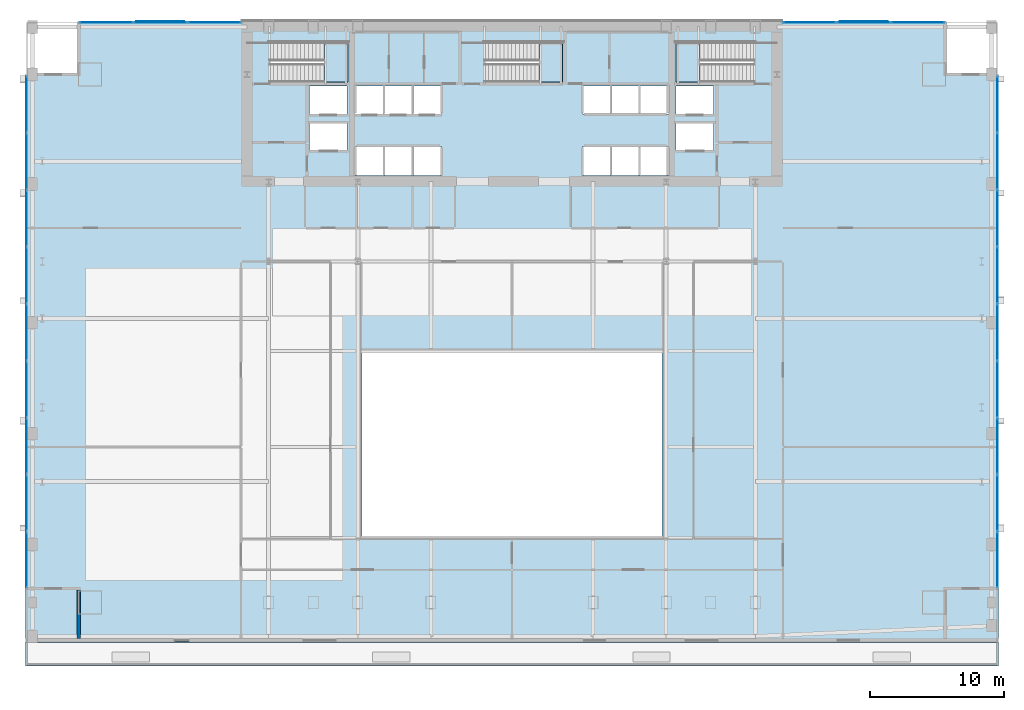
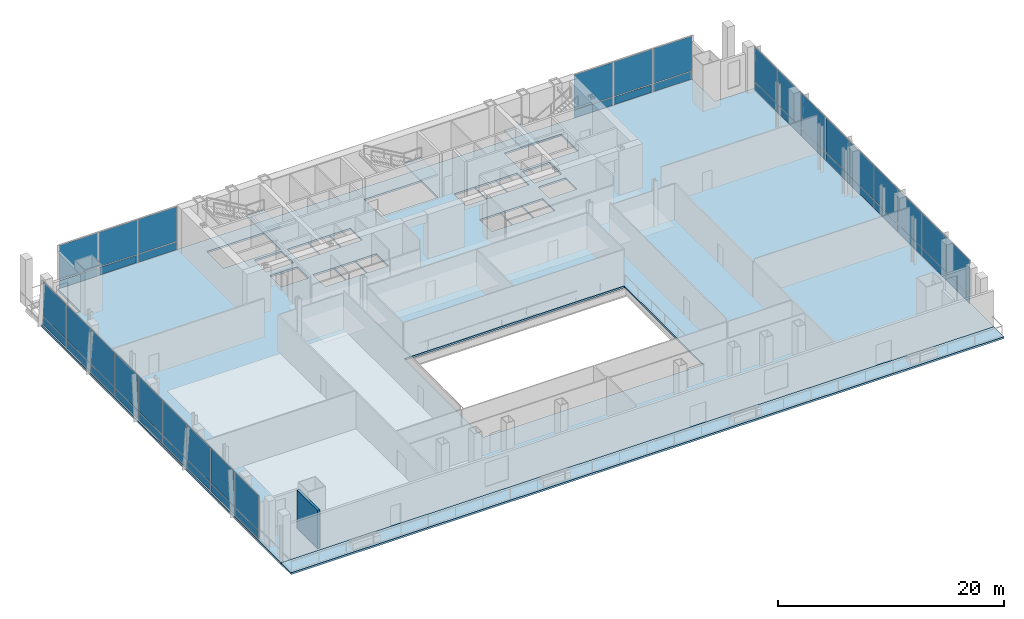
# One storey, part 18 of 25: 50 plates, 5 slabs, 1 wall, 7 elements without a shape of their own.
"""IFC4 building model written with IfcOpenShell, lengths in metres."""

from ifc_helpers import new_model, si_unit, direction, frame, frame_2d, origin, origin_2d, place, context, subcontext, project, spatial, polyline, rectangle, outline, extrude, material, layer, layer_set, type_object, element, aggregate, save


model = new_model("IFC4")

# Units and contexts
model_context = context("Model", 3, precision=1e-05, world=origin(), true_north=direction((0.0, 1.0)))
body_context = subcontext(model_context, "Body", "Model", "MODEL_VIEW")
ifc_project = project(units=[si_unit("LENGTHUNIT", "METRE"), si_unit("AREAUNIT", "SQUARE_METRE"), si_unit("VOLUMEUNIT", "CUBIC_METRE"), si_unit("PLANEANGLEUNIT", "RADIAN"), si_unit("MASSUNIT", "GRAM", prefix="KILO")], contexts=[model_context])

# Site, building, storey
site_placement = place(None, origin())
site = spatial("IfcSite", under=ifc_project, at=site_placement, CompositionType="ELEMENT")
building_placement = place(site_placement, origin())
building = spatial("IfcBuilding", under=site, at=building_placement, Name="Khoronbel Lancet Exchange", CompositionType="ELEMENT")
storey_placement = place(building_placement, frame((0.0, 0.0, 10.39990234375)))
storey = spatial("IfcBuildingStorey", under=building, at=storey_placement, Name="L02", CompositionType="ELEMENT", Elevation=10.39990234375)

# Curtain wall, plate
ifc_material_1 = material(Name="Low-E Solar Control Insulating Glass", Category="glass")
curtain_wall_type = type_object("IfcCurtainWallType", Name="CW-5", PredefinedType="NOTDEFINED", material=ifc_material_1)
curtain_wall_1_placement = place(storey_placement, origin())
curtain_wall_1 = element("IfcCurtainWall", 1, at=curtain_wall_1_placement, inside=storey, type_object=curtain_wall_type, Name="Unitised curtain wall CW-L02-NW", PredefinedType="NOTDEFINED")
ifc_material_2 = material(Name="Bronze-Anodised Aluminium 6063-T6", Category="aluminium")
ifc_layer_1 = layer(ifc_material_2, 0.050048828125, Name="Bronze-Anodised Aluminium 6063-T6")
ifc_layer_set_1 = layer_set([ifc_layer_1], Name="Bronze-Anodised Aluminium 6063-T6")
plate_type_1 = type_object("IfcPlateType", Name="PLT-CSP1", PredefinedType="SHEET", material=ifc_layer_set_1)
plate_1_placement = place(storey_placement, frame((10.110107421875, 53.659912109375, 0.05029296875), z_axis=(0.0, 0.0, 1.0), x_axis=(1.0, 0.0, 0.0)))
plate_1 = element("IfcPlate", 2, at=plate_1_placement, type_object=plate_type_1, Name="Insulated bronze spandrel cassette CW-L02-NW", PredefinedType="SHEET", context=body_context, shape_type="SweptSolid", body=[
    extrude(rectangle(XDim=3.60009765625, YDim=0.050048828125, at=origin_2d()), origin(), (0.0, 0.0, 1.0), 0.800048828125),
])

curtain_wall_2_placement = place(storey_placement, origin())
curtain_wall_2 = element("IfcCurtainWall", 3, at=curtain_wall_2_placement, inside=storey, type_object=curtain_wall_type, Name="Unitised curtain wall CW-L02-NE", PredefinedType="NOTDEFINED")
plate_2_placement = place(storey_placement, frame((62.7900390625, 53.659912109375, 0.05029296875), z_axis=(0.0, 0.0, 1.0), x_axis=(1.0, 0.0, 0.0)))
plate_2 = element("IfcPlate", 4, at=plate_2_placement, type_object=plate_type_1, Name="Insulated bronze spandrel cassette CW-L02-NE", PredefinedType="SHEET", context=body_context, shape_type="SweptSolid", body=[
    extrude(rectangle(XDim=3.60009765625, YDim=0.050048828125, at=origin_2d()), origin(), (0.0, 0.0, 1.0), 0.800048828125),
])

# Curtain wall, plates
curtain_wall_3_placement = place(storey_placement, origin())
curtain_wall_3 = element("IfcCurtainWall", 5, at=curtain_wall_3_placement, inside=storey, type_object=curtain_wall_type, Name="Unitised curtain wall CW-L02-WEST", PredefinedType="NOTDEFINED")
ifc_layer_2 = layer(ifc_material_1, 0.035888671875, Name="Low-E Solar Control Insulating Glass")
ifc_layer_set_2 = layer_set([ifc_layer_2], Name="Low-E Solar Control Insulating Glass")
plate_type_2 = type_object("IfcPlateType", Name="PLT-CWP1", PredefinedType="CURTAIN_PANEL", material=ifc_layer_set_2)
plate_3_placement = place(storey_placement, frame((0.10009765625, 47.4453125, 0.0751953125), z_axis=(0.0, 0.0, 1.0), x_axis=(0.0, -1.0, 0.0)))
plate_3 = element("IfcPlate", 6, at=plate_3_placement, type_object=plate_type_2, Name="CW5 panel 1.1", PredefinedType="CURTAIN_PANEL", context=body_context, shape_type="SweptSolid", body=[
    extrude(rectangle(XDim=4.13916015625, YDim=0.0380859375, at=origin_2d()), origin(), (0.0, 0.0, 1.0), 0.83740234375),
])
plate_4_placement = place(storey_placement, frame((0.10009765625, 47.4453125, 0.98779296875), z_axis=(0.0, 0.0, 1.0), x_axis=(0.0, -1.0, 0.0)))
plate_4 = element("IfcPlate", 7, at=plate_4_placement, type_object=plate_type_2, Name="CW5 panel 1.2", PredefinedType="CURTAIN_PANEL", context=body_context, shape_type="SweptSolid", body=[
    extrude(rectangle(XDim=4.13916015625, YDim=0.0380859375, at=origin_2d()), origin(), (0.0, 0.0, 1.0), 3.737548828125),
])
plate_5_placement = place(storey_placement, frame((0.10009765625, 43.199951171875, 0.0751953125), z_axis=(0.0, 0.0, 1.0), x_axis=(0.0, -1.0, 0.0)))
plate_5 = element("IfcPlate", 8, at=plate_5_placement, type_object=plate_type_2, Name="CW5 panel 2.1", PredefinedType="CURTAIN_PANEL", context=body_context, shape_type="SweptSolid", body=[
    extrude(rectangle(XDim=4.181640625, YDim=0.0380859375, at=origin_2d()), origin(), (0.0, 0.0, 1.0), 0.83740234375),
])
plate_6_placement = place(storey_placement, frame((0.10009765625, 43.199951171875, 0.98779296875), z_axis=(0.0, 0.0, 1.0), x_axis=(0.0, -1.0, 0.0)))
plate_6 = element("IfcPlate", 9, at=plate_6_placement, type_object=plate_type_2, Name="CW5 panel 2.2", PredefinedType="CURTAIN_PANEL", context=body_context, shape_type="SweptSolid", body=[
    extrude(rectangle(XDim=4.181640625, YDim=0.0380859375, at=origin_2d()), origin(), (0.0, 0.0, 1.0), 3.737548828125),
])
plate_7_placement = place(storey_placement, frame((0.10009765625, 38.933349609375, 0.0751953125), z_axis=(0.0, 0.0, 1.0), x_axis=(0.0, -1.0, 0.0)))
plate_7 = element("IfcPlate", 10, at=plate_7_placement, type_object=plate_type_2, Name="CW5 panel 3.1", PredefinedType="CURTAIN_PANEL", context=body_context, shape_type="SweptSolid", body=[
    extrude(rectangle(XDim=4.181640625, YDim=0.0380859375, at=origin_2d()), origin(), (0.0, 0.0, 1.0), 0.83740234375),
])
plate_8_placement = place(storey_placement, frame((0.10009765625, 38.933349609375, 0.98779296875), z_axis=(0.0, 0.0, 1.0), x_axis=(0.0, -1.0, 0.0)))
plate_8 = element("IfcPlate", 11, at=plate_8_placement, type_object=plate_type_2, Name="CW5 panel 3.2", PredefinedType="CURTAIN_PANEL", context=body_context, shape_type="SweptSolid", body=[
    extrude(rectangle(XDim=4.181640625, YDim=0.0380859375, at=origin_2d()), origin(), (0.0, 0.0, 1.0), 3.737548828125),
])
plate_9_placement = place(storey_placement, frame((0.10009765625, 34.666748046875, 0.0751953125), z_axis=(0.0, 0.0, 1.0), x_axis=(0.0, -1.0, 0.0)))
plate_9 = element("IfcPlate", 12, at=plate_9_placement, type_object=plate_type_2, Name="CW5 panel 4.1", PredefinedType="CURTAIN_PANEL", context=body_context, shape_type="SweptSolid", body=[
    extrude(rectangle(XDim=4.181640625, YDim=0.0380859375, at=origin_2d()), origin(), (0.0, 0.0, 1.0), 0.83740234375),
])
plate_10_placement = place(storey_placement, frame((0.10009765625, 34.666748046875, 0.98779296875), z_axis=(0.0, 0.0, 1.0), x_axis=(0.0, -1.0, 0.0)))
plate_10 = element("IfcPlate", 13, at=plate_10_placement, type_object=plate_type_2, Name="CW5 panel 4.2", PredefinedType="CURTAIN_PANEL", context=body_context, shape_type="SweptSolid", body=[
    extrude(rectangle(XDim=4.181640625, YDim=0.0380859375, at=origin_2d()), origin(), (0.0, 0.0, 1.0), 3.737548828125),
])
plate_11_placement = place(storey_placement, frame((0.10009765625, 30.39990234375, 0.0751953125), z_axis=(0.0, 0.0, 1.0), x_axis=(0.0, -1.0, 0.0)))
plate_11 = element("IfcPlate", 14, at=plate_11_placement, type_object=plate_type_2, Name="CW5 panel 5.1", PredefinedType="CURTAIN_PANEL", context=body_context, shape_type="SweptSolid", body=[
    extrude(rectangle(XDim=4.181640625, YDim=0.0380859375, at=origin_2d()), origin(), (0.0, 0.0, 1.0), 0.83740234375),
])
plate_12_placement = place(storey_placement, frame((0.10009765625, 30.39990234375, 0.98779296875), z_axis=(0.0, 0.0, 1.0), x_axis=(0.0, -1.0, 0.0)))
plate_12 = element("IfcPlate", 15, at=plate_12_placement, type_object=plate_type_2, Name="CW5 panel 5.2", PredefinedType="CURTAIN_PANEL", context=body_context, shape_type="SweptSolid", body=[
    extrude(rectangle(XDim=4.181640625, YDim=0.0380859375, at=origin_2d()), origin(), (0.0, 0.0, 1.0), 3.737548828125),
])
plate_13_placement = place(storey_placement, frame((0.10009765625, 26.13330078125, 0.0751953125), z_axis=(0.0, 0.0, 1.0), x_axis=(0.0, -1.0, 0.0)))
plate_13 = element("IfcPlate", 16, at=plate_13_placement, type_object=plate_type_2, Name="CW5 panel 6.1", PredefinedType="CURTAIN_PANEL", context=body_context, shape_type="SweptSolid", body=[
    extrude(rectangle(XDim=4.181640625, YDim=0.0380859375, at=origin_2d()), origin(), (0.0, 0.0, 1.0), 0.83740234375),
])
plate_14_placement = place(storey_placement, frame((0.10009765625, 26.13330078125, 0.98779296875), z_axis=(0.0, 0.0, 1.0), x_axis=(0.0, -1.0, 0.0)))
plate_14 = element("IfcPlate", 17, at=plate_14_placement, type_object=plate_type_2, Name="CW5 panel 6.2", PredefinedType="CURTAIN_PANEL", context=body_context, shape_type="SweptSolid", body=[
    extrude(rectangle(XDim=4.181640625, YDim=0.0380859375, at=origin_2d()), origin(), (0.0, 0.0, 1.0), 3.737548828125),
])
plate_15_placement = place(storey_placement, frame((0.10009765625, 21.86669921875, 0.0751953125), z_axis=(0.0, 0.0, 1.0), x_axis=(0.0, -1.0, 0.0)))
plate_15 = element("IfcPlate", 18, at=plate_15_placement, type_object=plate_type_2, Name="CW5 panel 7.1", PredefinedType="CURTAIN_PANEL", context=body_context, shape_type="SweptSolid", body=[
    extrude(rectangle(XDim=4.181640625, YDim=0.0380859375, at=origin_2d()), origin(), (0.0, 0.0, 1.0), 0.83740234375),
])
plate_16_placement = place(storey_placement, frame((0.10009765625, 21.86669921875, 0.98779296875), z_axis=(0.0, 0.0, 1.0), x_axis=(0.0, -1.0, 0.0)))
plate_16 = element("IfcPlate", 19, at=plate_16_placement, type_object=plate_type_2, Name="CW5 panel 7.2", PredefinedType="CURTAIN_PANEL", context=body_context, shape_type="SweptSolid", body=[
    extrude(rectangle(XDim=4.181640625, YDim=0.0380859375, at=origin_2d()), origin(), (0.0, 0.0, 1.0), 3.737548828125),
])
plate_17_placement = place(storey_placement, frame((0.10009765625, 17.60009765625, 0.0751953125), z_axis=(0.0, 0.0, 1.0), x_axis=(0.0, -1.0, 0.0)))
plate_17 = element("IfcPlate", 20, at=plate_17_placement, type_object=plate_type_2, Name="CW5 panel 8.1", PredefinedType="CURTAIN_PANEL", context=body_context, shape_type="SweptSolid", body=[
    extrude(rectangle(XDim=4.181640625, YDim=0.0380859375, at=origin_2d()), origin(), (0.0, 0.0, 1.0), 0.83740234375),
])
plate_18_placement = place(storey_placement, frame((0.10009765625, 17.60009765625, 0.98779296875), z_axis=(0.0, 0.0, 1.0), x_axis=(0.0, -1.0, 0.0)))
plate_18 = element("IfcPlate", 21, at=plate_18_placement, type_object=plate_type_2, Name="CW5 panel 8.2", PredefinedType="CURTAIN_PANEL", context=body_context, shape_type="SweptSolid", body=[
    extrude(rectangle(XDim=4.181640625, YDim=0.0380859375, at=origin_2d()), origin(), (0.0, 0.0, 1.0), 3.737548828125),
])
plate_19_placement = place(storey_placement, frame((0.10009765625, 13.3544921875, 0.0751953125), z_axis=(0.0, 0.0, 1.0), x_axis=(0.0, -1.0, 0.0)))
plate_19 = element("IfcPlate", 22, at=plate_19_placement, type_object=plate_type_2, Name="CW5 panel 9.1", PredefinedType="CURTAIN_PANEL", context=body_context, shape_type="SweptSolid", body=[
    extrude(rectangle(XDim=4.13916015625, YDim=0.0380859375, at=origin_2d()), origin(), (0.0, 0.0, 1.0), 0.83740234375),
])
plate_20_placement = place(storey_placement, frame((0.10009765625, 13.3544921875, 0.98779296875), z_axis=(0.0, 0.0, 1.0), x_axis=(0.0, -1.0, 0.0)))
plate_20 = element("IfcPlate", 23, at=plate_20_placement, type_object=plate_type_2, Name="CW5 panel 9.2", PredefinedType="CURTAIN_PANEL", context=body_context, shape_type="SweptSolid", body=[
    extrude(rectangle(XDim=4.13916015625, YDim=0.0380859375, at=origin_2d()), origin(), (0.0, 0.0, 1.0), 3.737548828125),
])
aggregate(curtain_wall_3, [plate_3, plate_4, plate_5, plate_6, plate_7, plate_8, plate_9, plate_10, plate_11, plate_12, plate_13, plate_14, plate_15, plate_16, plate_17, plate_18, plate_19, plate_20])

curtain_wall_4_placement = place(storey_placement, origin())
curtain_wall_4 = element("IfcCurtainWall", 24, at=curtain_wall_4_placement, inside=storey, type_object=curtain_wall_type, Name="Unitised curtain wall CW-L02-EAST", PredefinedType="NOTDEFINED")
plate_21_placement = place(storey_placement, frame((72.800048828125, 13.3544921875, 0.0751953125), z_axis=(0.0, 0.0, 1.0), x_axis=(0.0, 1.0, 0.0)))
plate_21 = element("IfcPlate", 25, at=plate_21_placement, type_object=plate_type_2, Name="CW5 panel 1.1", PredefinedType="CURTAIN_PANEL", context=body_context, shape_type="SweptSolid", body=[
    extrude(rectangle(XDim=4.13916015625, YDim=0.0380859375, at=origin_2d()), origin(), (0.0, 0.0, 1.0), 0.83740234375),
])
plate_22_placement = place(storey_placement, frame((72.800048828125, 13.3544921875, 0.98779296875), z_axis=(0.0, 0.0, 1.0), x_axis=(0.0, 1.0, 0.0)))
plate_22 = element("IfcPlate", 26, at=plate_22_placement, type_object=plate_type_2, Name="CW5 panel 1.2", PredefinedType="CURTAIN_PANEL", context=body_context, shape_type="SweptSolid", body=[
    extrude(rectangle(XDim=4.13916015625, YDim=0.0380859375, at=origin_2d()), origin(), (0.0, 0.0, 1.0), 3.737548828125),
])
plate_23_placement = place(storey_placement, frame((72.800048828125, 17.60009765625, 0.0751953125), z_axis=(0.0, 0.0, 1.0), x_axis=(0.0, 1.0, 0.0)))
plate_23 = element("IfcPlate", 27, at=plate_23_placement, type_object=plate_type_2, Name="CW5 panel 2.1", PredefinedType="CURTAIN_PANEL", context=body_context, shape_type="SweptSolid", body=[
    extrude(rectangle(XDim=4.181640625, YDim=0.0380859375, at=origin_2d()), origin(), (0.0, 0.0, 1.0), 0.83740234375),
])
plate_24_placement = place(storey_placement, frame((72.800048828125, 17.60009765625, 0.98779296875), z_axis=(0.0, 0.0, 1.0), x_axis=(0.0, 1.0, 0.0)))
plate_24 = element("IfcPlate", 28, at=plate_24_placement, type_object=plate_type_2, Name="CW5 panel 2.2", PredefinedType="CURTAIN_PANEL", context=body_context, shape_type="SweptSolid", body=[
    extrude(rectangle(XDim=4.181640625, YDim=0.0380859375, at=origin_2d()), origin(), (0.0, 0.0, 1.0), 3.737548828125),
])
plate_25_placement = place(storey_placement, frame((72.800048828125, 21.86669921875, 0.0751953125), z_axis=(0.0, 0.0, 1.0), x_axis=(0.0, 1.0, 0.0)))
plate_25 = element("IfcPlate", 29, at=plate_25_placement, type_object=plate_type_2, Name="CW5 panel 3.1", PredefinedType="CURTAIN_PANEL", context=body_context, shape_type="SweptSolid", body=[
    extrude(rectangle(XDim=4.181640625, YDim=0.0380859375, at=origin_2d()), origin(), (0.0, 0.0, 1.0), 0.83740234375),
])
plate_26_placement = place(storey_placement, frame((72.800048828125, 21.86669921875, 0.98779296875), z_axis=(0.0, 0.0, 1.0), x_axis=(0.0, 1.0, 0.0)))
plate_26 = element("IfcPlate", 30, at=plate_26_placement, type_object=plate_type_2, Name="CW5 panel 3.2", PredefinedType="CURTAIN_PANEL", context=body_context, shape_type="SweptSolid", body=[
    extrude(rectangle(XDim=4.181640625, YDim=0.0380859375, at=origin_2d()), origin(), (0.0, 0.0, 1.0), 3.737548828125),
])
plate_27_placement = place(storey_placement, frame((72.800048828125, 26.13330078125, 0.0751953125), z_axis=(0.0, 0.0, 1.0), x_axis=(0.0, 1.0, 0.0)))
plate_27 = element("IfcPlate", 31, at=plate_27_placement, type_object=plate_type_2, Name="CW5 panel 4.1", PredefinedType="CURTAIN_PANEL", context=body_context, shape_type="SweptSolid", body=[
    extrude(rectangle(XDim=4.181640625, YDim=0.0380859375, at=origin_2d()), origin(), (0.0, 0.0, 1.0), 0.83740234375),
])
plate_28_placement = place(storey_placement, frame((72.800048828125, 26.13330078125, 0.98779296875), z_axis=(0.0, 0.0, 1.0), x_axis=(0.0, 1.0, 0.0)))
plate_28 = element("IfcPlate", 32, at=plate_28_placement, type_object=plate_type_2, Name="CW5 panel 4.2", PredefinedType="CURTAIN_PANEL", context=body_context, shape_type="SweptSolid", body=[
    extrude(rectangle(XDim=4.181640625, YDim=0.0380859375, at=origin_2d()), origin(), (0.0, 0.0, 1.0), 3.737548828125),
])
plate_29_placement = place(storey_placement, frame((72.800048828125, 30.39990234375, 0.0751953125), z_axis=(0.0, 0.0, 1.0), x_axis=(0.0, 1.0, 0.0)))
plate_29 = element("IfcPlate", 33, at=plate_29_placement, type_object=plate_type_2, Name="CW5 panel 5.1", PredefinedType="CURTAIN_PANEL", context=body_context, shape_type="SweptSolid", body=[
    extrude(rectangle(XDim=4.181640625, YDim=0.0380859375, at=origin_2d()), origin(), (0.0, 0.0, 1.0), 0.83740234375),
])
plate_30_placement = place(storey_placement, frame((72.800048828125, 30.39990234375, 0.98779296875), z_axis=(0.0, 0.0, 1.0), x_axis=(0.0, 1.0, 0.0)))
plate_30 = element("IfcPlate", 34, at=plate_30_placement, type_object=plate_type_2, Name="CW5 panel 5.2", PredefinedType="CURTAIN_PANEL", context=body_context, shape_type="SweptSolid", body=[
    extrude(rectangle(XDim=4.181640625, YDim=0.0380859375, at=origin_2d()), origin(), (0.0, 0.0, 1.0), 3.737548828125),
])
plate_31_placement = place(storey_placement, frame((72.800048828125, 34.666748046875, 0.0751953125), z_axis=(0.0, 0.0, 1.0), x_axis=(0.0, 1.0, 0.0)))
plate_31 = element("IfcPlate", 35, at=plate_31_placement, type_object=plate_type_2, Name="CW5 panel 6.1", PredefinedType="CURTAIN_PANEL", context=body_context, shape_type="SweptSolid", body=[
    extrude(rectangle(XDim=4.181640625, YDim=0.0380859375, at=origin_2d()), origin(), (0.0, 0.0, 1.0), 0.83740234375),
])
plate_32_placement = place(storey_placement, frame((72.800048828125, 34.666748046875, 0.98779296875), z_axis=(0.0, 0.0, 1.0), x_axis=(0.0, 1.0, 0.0)))
plate_32 = element("IfcPlate", 36, at=plate_32_placement, type_object=plate_type_2, Name="CW5 panel 6.2", PredefinedType="CURTAIN_PANEL", context=body_context, shape_type="SweptSolid", body=[
    extrude(rectangle(XDim=4.181640625, YDim=0.0380859375, at=origin_2d()), origin(), (0.0, 0.0, 1.0), 3.737548828125),
])
plate_33_placement = place(storey_placement, frame((72.800048828125, 38.933349609375, 0.0751953125), z_axis=(0.0, 0.0, 1.0), x_axis=(0.0, 1.0, 0.0)))
plate_33 = element("IfcPlate", 37, at=plate_33_placement, type_object=plate_type_2, Name="CW5 panel 7.1", PredefinedType="CURTAIN_PANEL", context=body_context, shape_type="SweptSolid", body=[
    extrude(rectangle(XDim=4.181640625, YDim=0.0380859375, at=origin_2d()), origin(), (0.0, 0.0, 1.0), 0.83740234375),
])
plate_34_placement = place(storey_placement, frame((72.800048828125, 38.933349609375, 0.98779296875), z_axis=(0.0, 0.0, 1.0), x_axis=(0.0, 1.0, 0.0)))
plate_34 = element("IfcPlate", 38, at=plate_34_placement, type_object=plate_type_2, Name="CW5 panel 7.2", PredefinedType="CURTAIN_PANEL", context=body_context, shape_type="SweptSolid", body=[
    extrude(rectangle(XDim=4.181640625, YDim=0.0380859375, at=origin_2d()), origin(), (0.0, 0.0, 1.0), 3.737548828125),
])
plate_35_placement = place(storey_placement, frame((72.800048828125, 43.199951171875, 0.0751953125), z_axis=(0.0, 0.0, 1.0), x_axis=(0.0, 1.0, 0.0)))
plate_35 = element("IfcPlate", 39, at=plate_35_placement, type_object=plate_type_2, Name="CW5 panel 8.1", PredefinedType="CURTAIN_PANEL", context=body_context, shape_type="SweptSolid", body=[
    extrude(rectangle(XDim=4.181640625, YDim=0.0380859375, at=origin_2d()), origin(), (0.0, 0.0, 1.0), 0.83740234375),
])
plate_36_placement = place(storey_placement, frame((72.800048828125, 43.199951171875, 0.98779296875), z_axis=(0.0, 0.0, 1.0), x_axis=(0.0, 1.0, 0.0)))
plate_36 = element("IfcPlate", 40, at=plate_36_placement, type_object=plate_type_2, Name="CW5 panel 8.2", PredefinedType="CURTAIN_PANEL", context=body_context, shape_type="SweptSolid", body=[
    extrude(rectangle(XDim=4.181640625, YDim=0.0380859375, at=origin_2d()), origin(), (0.0, 0.0, 1.0), 3.737548828125),
])
plate_37_placement = place(storey_placement, frame((72.800048828125, 47.4453125, 0.0751953125), z_axis=(0.0, 0.0, 1.0), x_axis=(0.0, 1.0, 0.0)))
plate_37 = element("IfcPlate", 41, at=plate_37_placement, type_object=plate_type_2, Name="CW5 panel 9.1", PredefinedType="CURTAIN_PANEL", context=body_context, shape_type="SweptSolid", body=[
    extrude(rectangle(XDim=4.13916015625, YDim=0.0380859375, at=origin_2d()), origin(), (0.0, 0.0, 1.0), 0.83740234375),
])
plate_38_placement = place(storey_placement, frame((72.800048828125, 47.4453125, 0.98779296875), z_axis=(0.0, 0.0, 1.0), x_axis=(0.0, 1.0, 0.0)))
plate_38 = element("IfcPlate", 42, at=plate_38_placement, type_object=plate_type_2, Name="CW5 panel 9.2", PredefinedType="CURTAIN_PANEL", context=body_context, shape_type="SweptSolid", body=[
    extrude(rectangle(XDim=4.13916015625, YDim=0.0380859375, at=origin_2d()), origin(), (0.0, 0.0, 1.0), 3.737548828125),
])
aggregate(curtain_wall_4, [plate_21, plate_22, plate_23, plate_24, plate_25, plate_26, plate_27, plate_28, plate_29, plate_30, plate_31, plate_32, plate_33, plate_34, plate_35, plate_36, plate_37, plate_38])

# Plate
plate_39_placement = place(storey_placement, frame((6.057861328125, 53.60009765625, 0.0751953125), z_axis=(0.0, 0.0, 1.0), x_axis=(1.0, 0.0, 0.0)))
plate_39 = element("IfcPlate", 43, at=plate_39_placement, type_object=plate_type_2, Name="CW5 panel 1.1", PredefinedType="CURTAIN_PANEL", context=body_context, shape_type="SweptSolid", body=[
    extrude(rectangle(XDim=3.94580078125, YDim=0.0380859375, at=origin_2d()), origin(), (0.0, 0.0, 1.0), 0.83740234375),
])

plate_40_placement = place(storey_placement, frame((6.057861328125, 53.60009765625, 0.98779296875), z_axis=(0.0, 0.0, 1.0), x_axis=(1.0, 0.0, 0.0)))
plate_40 = element("IfcPlate", 44, at=plate_40_placement, type_object=plate_type_2, Name="CW5 panel 1.2", PredefinedType="CURTAIN_PANEL", context=body_context, shape_type="SweptSolid", body=[
    extrude(rectangle(XDim=3.94580078125, YDim=0.0380859375, at=origin_2d()), origin(), (0.0, 0.0, 1.0), 3.737548828125),
])

plate_41_placement = place(storey_placement, frame((10.110107421875, 53.60009765625, 0.0751953125), z_axis=(0.0, 0.0, 1.0), x_axis=(1.0, 0.0, 0.0)))
plate_41 = element("IfcPlate", 45, at=plate_41_placement, type_object=plate_type_2, Name="CW5 panel 2.1", PredefinedType="CURTAIN_PANEL", context=body_context, shape_type="SweptSolid", body=[
    extrude(rectangle(XDim=3.98828125, YDim=0.0380859375, at=origin_2d()), origin(), (0.0, 0.0, 1.0), 0.83740234375),
])

plate_42_placement = place(storey_placement, frame((10.110107421875, 53.60009765625, 0.98779296875), z_axis=(0.0, 0.0, 1.0), x_axis=(1.0, 0.0, 0.0)))
plate_42 = element("IfcPlate", 46, at=plate_42_placement, type_object=plate_type_2, Name="CW5 panel 2.2", PredefinedType="CURTAIN_PANEL", context=body_context, shape_type="SweptSolid", body=[
    extrude(rectangle(XDim=3.98828125, YDim=0.0380859375, at=origin_2d()), origin(), (0.0, 0.0, 1.0), 3.737548828125),
])

plate_43_placement = place(storey_placement, frame((14.162109375, 53.60009765625, 0.0751953125), z_axis=(0.0, 0.0, 1.0), x_axis=(1.0, 0.0, 0.0)))
plate_43 = element("IfcPlate", 47, at=plate_43_placement, type_object=plate_type_2, Name="CW5 panel 3.1", PredefinedType="CURTAIN_PANEL", context=body_context, shape_type="SweptSolid", body=[
    extrude(rectangle(XDim=3.94580078125, YDim=0.0380859375, at=origin_2d()), origin(), (0.0, 0.0, 1.0), 0.83740234375),
])

plate_44_placement = place(storey_placement, frame((14.162109375, 53.60009765625, 0.98779296875), z_axis=(0.0, 0.0, 1.0), x_axis=(1.0, 0.0, 0.0)))
plate_44 = element("IfcPlate", 48, at=plate_44_placement, type_object=plate_type_2, Name="CW5 panel 3.2", PredefinedType="CURTAIN_PANEL", context=body_context, shape_type="SweptSolid", body=[
    extrude(rectangle(XDim=3.94580078125, YDim=0.0380859375, at=origin_2d()), origin(), (0.0, 0.0, 1.0), 3.737548828125),
])

aggregate(curtain_wall_1, [plate_39, plate_40, plate_41, plate_42, plate_43, plate_44, plate_1])

plate_45_placement = place(storey_placement, frame((58.738037109375, 53.60009765625, 0.0751953125), z_axis=(0.0, 0.0, 1.0), x_axis=(1.0, 0.0, 0.0)))
plate_45 = element("IfcPlate", 49, at=plate_45_placement, type_object=plate_type_2, Name="CW5 panel 1.1", PredefinedType="CURTAIN_PANEL", context=body_context, shape_type="SweptSolid", body=[
    extrude(rectangle(XDim=3.94580078125, YDim=0.0380859375, at=origin_2d()), origin(), (0.0, 0.0, 1.0), 0.83740234375),
])

plate_46_placement = place(storey_placement, frame((58.738037109375, 53.60009765625, 0.98779296875), z_axis=(0.0, 0.0, 1.0), x_axis=(1.0, 0.0, 0.0)))
plate_46 = element("IfcPlate", 50, at=plate_46_placement, type_object=plate_type_2, Name="CW5 panel 1.2", PredefinedType="CURTAIN_PANEL", context=body_context, shape_type="SweptSolid", body=[
    extrude(rectangle(XDim=3.94580078125, YDim=0.0380859375, at=origin_2d()), origin(), (0.0, 0.0, 1.0), 3.737548828125),
])

plate_47_placement = place(storey_placement, frame((62.7900390625, 53.60009765625, 0.0751953125), z_axis=(0.0, 0.0, 1.0), x_axis=(1.0, 0.0, 0.0)))
plate_47 = element("IfcPlate", 51, at=plate_47_placement, type_object=plate_type_2, Name="CW5 panel 2.1", PredefinedType="CURTAIN_PANEL", context=body_context, shape_type="SweptSolid", body=[
    extrude(rectangle(XDim=3.98828125, YDim=0.0380859375, at=origin_2d()), origin(), (0.0, 0.0, 1.0), 0.83740234375),
])

plate_48_placement = place(storey_placement, frame((62.7900390625, 53.60009765625, 0.98779296875), z_axis=(0.0, 0.0, 1.0), x_axis=(1.0, 0.0, 0.0)))
plate_48 = element("IfcPlate", 52, at=plate_48_placement, type_object=plate_type_2, Name="CW5 panel 2.2", PredefinedType="CURTAIN_PANEL", context=body_context, shape_type="SweptSolid", body=[
    extrude(rectangle(XDim=3.98828125, YDim=0.0380859375, at=origin_2d()), origin(), (0.0, 0.0, 1.0), 3.737548828125),
])

plate_49_placement = place(storey_placement, frame((66.842041015625, 53.60009765625, 0.0751953125), z_axis=(0.0, 0.0, 1.0), x_axis=(1.0, 0.0, 0.0)))
plate_49 = element("IfcPlate", 53, at=plate_49_placement, type_object=plate_type_2, Name="CW5 panel 3.1", PredefinedType="CURTAIN_PANEL", context=body_context, shape_type="SweptSolid", body=[
    extrude(rectangle(XDim=3.94580078125, YDim=0.0380859375, at=origin_2d()), origin(), (0.0, 0.0, 1.0), 0.83740234375),
])

plate_50_placement = place(storey_placement, frame((66.842041015625, 53.60009765625, 0.98779296875), z_axis=(0.0, 0.0, 1.0), x_axis=(1.0, 0.0, 0.0)))
plate_50 = element("IfcPlate", 54, at=plate_50_placement, type_object=plate_type_2, Name="CW5 panel 3.2", PredefinedType="CURTAIN_PANEL", context=body_context, shape_type="SweptSolid", body=[
    extrude(rectangle(XDim=3.94580078125, YDim=0.0380859375, at=origin_2d()), origin(), (0.0, 0.0, 1.0), 3.737548828125),
])

aggregate(curtain_wall_2, [plate_45, plate_46, plate_47, plate_48, plate_49, plate_50, plate_2])

# Slab
ifc_material_3 = material(Name="Concrete C40/50", Category="concrete")
ifc_layer_3 = layer(ifc_material_3, 0.199951171875, Name="Concrete C40/50")
ifc_layer_set_3 = layer_set([ifc_layer_3], Name="Concrete C40/50")
slab_type_1 = type_object("IfcSlabType", Name="SL-FL200", PredefinedType="FLOOR", material=ifc_layer_set_3)
slab_1_placement = place(storey_placement, frame((0.0, 0.0, -0.199951171875)))
element("IfcSlab", 55, at=slab_1_placement, inside=storey, type_object=slab_type_1, Name="Level L02 composite structural floor slab", PredefinedType="FLOOR", context=body_context, shape_type="SweptSolid", body=[
    extrude(outline(polyline([(0.0, 7.199951171875), (72.89990234375, 7.199951171875), (72.89990234375, 49.699951171875), (68.89990234375, 49.699951171875), (68.89990234375, 53.699951171875), (4.0, 53.699951171875), (4.0, 49.699951171875), (0.0, 49.699951171875), (0.0, 7.199951171875)]), holes=[polyline([(18.324951171875, 49.1201171875), (24.14990234375, 49.1201171875), (24.14990234375, 52.10009765625), (18.324951171875, 52.10009765625), (18.324951171875, 49.1201171875)]), polyline([(48.75, 49.1201171875), (54.574951171875, 49.1201171875), (54.574951171875, 52.10009765625), (48.75, 52.10009765625), (48.75, 49.1201171875)]), polyline([(34.425048828125, 49.1201171875), (40.25, 49.1201171875), (40.25, 52.10009765625), (34.425048828125, 52.10009765625), (34.425048828125, 49.1201171875)]), polyline([(24.699951171875, 46.75), (26.840087890625, 46.75), (26.840087890625, 48.85009765625), (24.699951171875, 48.85009765625), (24.699951171875, 46.75)]), polyline([(26.860107421875, 46.75), (29.0, 46.75), (29.0, 48.85009765625), (26.860107421875, 48.85009765625), (26.860107421875, 46.75)]), polyline([(29.02001953125, 46.75), (31.159912109375, 46.75), (31.159912109375, 48.85009765625), (29.02001953125, 48.85009765625), (29.02001953125, 46.75)]), polyline([(24.699951171875, 42.14990234375), (26.840087890625, 42.14990234375), (26.840087890625, 44.300048828125), (24.699951171875, 44.300048828125), (24.699951171875, 42.14990234375)]), polyline([(26.860107421875, 42.14990234375), (29.0, 42.14990234375), (29.0, 44.300048828125), (26.860107421875, 44.300048828125), (26.860107421875, 42.14990234375)]), polyline([(29.02001953125, 42.14990234375), (31.159912109375, 42.14990234375), (31.159912109375, 44.300048828125), (29.02001953125, 44.300048828125), (29.02001953125, 42.14990234375)]), polyline([(41.739990234375, 46.75), (43.8798828125, 46.75), (43.8798828125, 48.85009765625), (41.739990234375, 48.85009765625), (41.739990234375, 46.75)]), polyline([(43.89990234375, 46.75), (46.0400390625, 46.75), (46.0400390625, 48.85009765625), (43.89990234375, 48.85009765625), (43.89990234375, 46.75)]), polyline([(46.06005859375, 46.75), (48.199951171875, 46.75), (48.199951171875, 48.85009765625), (46.06005859375, 48.85009765625), (46.06005859375, 46.75)]), polyline([(41.739990234375, 42.14990234375), (43.8798828125, 42.14990234375), (43.8798828125, 44.300048828125), (41.739990234375, 44.300048828125), (41.739990234375, 42.14990234375)]), polyline([(43.89990234375, 42.14990234375), (46.0400390625, 42.14990234375), (46.0400390625, 44.300048828125), (43.89990234375, 44.300048828125), (43.89990234375, 42.14990234375)]), polyline([(46.06005859375, 42.14990234375), (48.199951171875, 42.14990234375), (48.199951171875, 44.300048828125), (46.06005859375, 44.300048828125), (46.06005859375, 42.14990234375)]), polyline([(21.300048828125, 46.75), (24.10009765625, 46.75), (24.10009765625, 48.85009765625), (21.300048828125, 48.85009765625), (21.300048828125, 46.75)]), polyline([(48.75, 46.75), (51.550048828125, 46.75), (51.550048828125, 48.85009765625), (48.75, 48.85009765625), (48.75, 46.75)]), polyline([(21.300048828125, 44.050048828125), (24.10009765625, 44.050048828125), (24.10009765625, 46.050048828125), (21.300048828125, 46.050048828125), (21.300048828125, 44.050048828125)]), polyline([(48.75, 44.050048828125), (51.550048828125, 44.050048828125), (51.550048828125, 46.050048828125), (48.75, 46.050048828125), (48.75, 44.050048828125)]), polyline([(25.199951171875, 15.0), (47.699951171875, 15.0), (47.699951171875, 29.0), (25.199951171875, 29.0), (25.199951171875, 15.0)])]), origin(), (0.0, 0.0, 1.0), 0.199951171875),
])

# Stair, slab
stair_type = type_object("IfcStairType", Name="STR-CORE150", PredefinedType="HALF_TURN_STAIR", material=ifc_material_3)
stair_1_placement = place(storey_placement, origin())
stair_1 = element("IfcStair", 56, at=stair_1_placement, inside=storey, type_object=stair_type, Name="L02 Protected Exit Stair ST1", PredefinedType="HALF_TURN_STAIR")
ifc_layer_4 = layer(ifc_material_3, 0.199951171875, Name="Concrete C40/50")
ifc_layer_set_4 = layer_set([ifc_layer_4], Name="Concrete C40/50")
slab_type_2 = type_object("IfcSlabType", Name="SL-LND180", PredefinedType="LANDING", material=ifc_layer_set_4)
slab_2_placement = place(storey_placement, frame((0.0, 0.0, 2.300048828125)))
slab_2 = element("IfcSlab", 57, at=slab_2_placement, type_object=slab_type_2, Name="ST1 landing 1", PredefinedType="LANDING", context=body_context, shape_type="SweptSolid", body=[
    extrude(outline(polyline([(22.360107421875, 49.1201171875), (24.14990234375, 49.1201171875), (24.14990234375, 52.10009765625), (22.360107421875, 52.10009765625), (22.360107421875, 49.1201171875)])), origin(), (0.0, 0.0, 1.0), 0.199951171875),
])
aggregate(stair_1, [slab_2])

stair_2_placement = place(storey_placement, origin())
stair_2 = element("IfcStair", 58, at=stair_2_placement, inside=storey, type_object=stair_type, Name="L02 Protected Exit Stair ST2", PredefinedType="HALF_TURN_STAIR")
slab_3_placement = place(storey_placement, frame((0.0, 0.0, 2.300048828125)))
slab_3 = element("IfcSlab", 59, at=slab_3_placement, type_object=slab_type_2, Name="ST2 landing 1", PredefinedType="LANDING", context=body_context, shape_type="SweptSolid", body=[
    extrude(outline(polyline([(50.5400390625, 52.10009765625), (48.75, 52.10009765625), (48.75, 49.1201171875), (50.5400390625, 49.1201171875), (50.5400390625, 52.10009765625)])), origin(), (0.0, 0.0, 1.0), 0.199951171875),
])
aggregate(stair_2, [slab_3])

stair_3_placement = place(storey_placement, origin())
stair_3 = element("IfcStair", 60, at=stair_3_placement, inside=storey, type_object=stair_type, Name="L02 Protected Exit Stair ST3", PredefinedType="HALF_TURN_STAIR")
slab_4_placement = place(storey_placement, frame((0.0, 0.0, 2.300048828125)))
slab_4 = element("IfcSlab", 61, at=slab_4_placement, type_object=slab_type_2, Name="ST3 landing 1", PredefinedType="LANDING", context=body_context, shape_type="SweptSolid", body=[
    extrude(outline(polyline([(38.4599609375, 49.1201171875), (40.25, 49.1201171875), (40.25, 52.10009765625), (38.4599609375, 52.10009765625), (38.4599609375, 49.1201171875)])), origin(), (0.0, 0.0, 1.0), 0.199951171875),
])
aggregate(stair_3, [slab_4])

# Slab
ifc_layer_5 = layer(ifc_material_3, 0.18994140625, Name="Concrete C40/50")
ifc_layer_set_5 = layer_set([ifc_layer_5], Name="Concrete C40/50")
slab_type_3 = type_object("IfcSlabType", Name="SL-TER180", PredefinedType="FLOOR", material=ifc_layer_set_5)
slab_5_placement = place(storey_placement, frame((0.0, 0.0, -0.199951171875)))
element("IfcSlab", 62, at=slab_5_placement, inside=storey, type_object=slab_type_3, Name="Level L02 cascading south planted garden terrace slab", PredefinedType="FLOOR", context=body_context, shape_type="SweptSolid", body=[
    extrude(outline(polyline([(0.0, 5.39990234375), (72.89990234375, 5.39990234375), (72.89990234375, 7.199951171875), (0.0, 7.199951171875), (0.0, 5.39990234375)])), origin(), (0.0, 0.0, 1.0), 0.199951171875),
])

# Wall
ifc_material_4 = material(Name="Precast concrete C40/50", Category="concrete")
ifc_layer_6 = layer(ifc_material_4, 0.25, Name="Precast concrete C40/50")
ifc_layer_set_6 = layer_set([ifc_layer_6], Name="Precast concrete C40/50")
wall_type = type_object("IfcWallType", Name="WL-EXT250", PredefinedType="SOLIDWALL", material=ifc_layer_set_6)
wall_placement = place(storey_placement, frame((4.0, 7.449951171875, 0.0), z_axis=(0.0, 0.0, 1.0), x_axis=(0.0, 1.0, 0.0)))
element("IfcWall", 63, at=wall_placement, inside=storey, type_object=wall_type, Name="Level L02 corner notch exterior wall SWV2", PredefinedType="SOLIDWALL", context=body_context, shape_type="SweptSolid", body=[
    extrude(rectangle(XDim=3.625, YDim=0.25, at=frame_2d((1.8125, 0.0))), origin(), (0.0, 0.0, 1.0), 4.14013671875),
])

save(model, "model.ifc")
